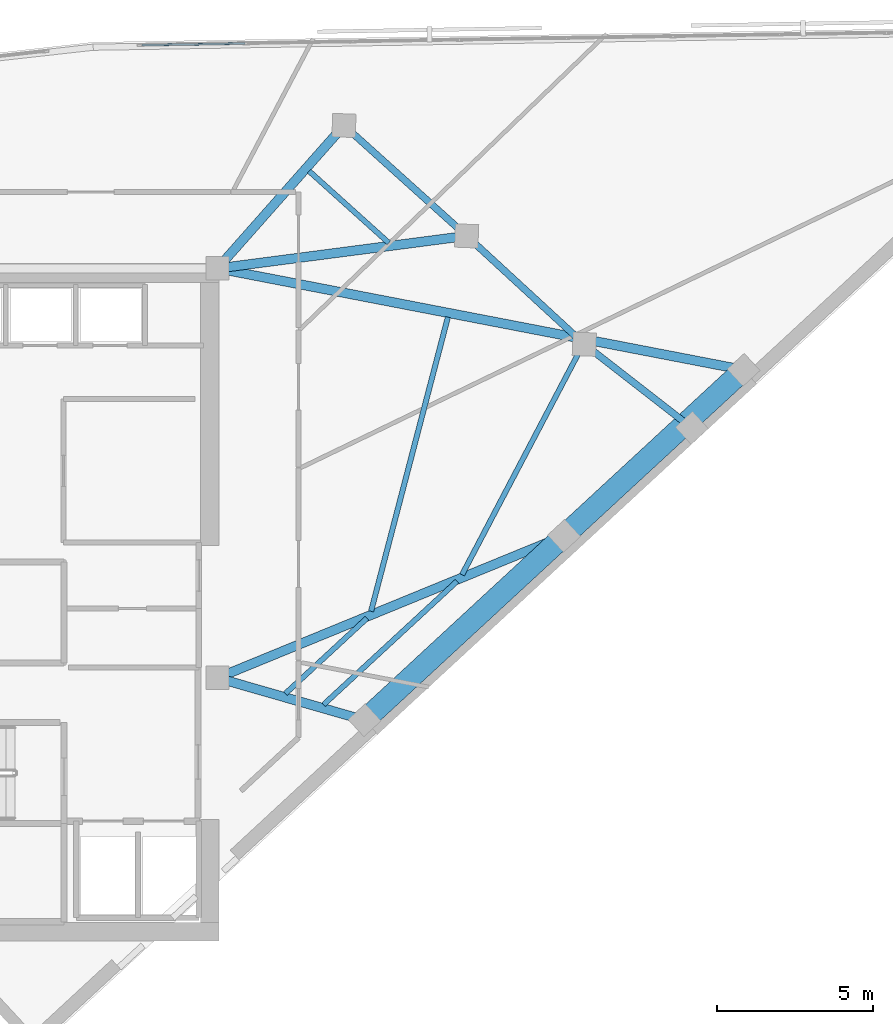
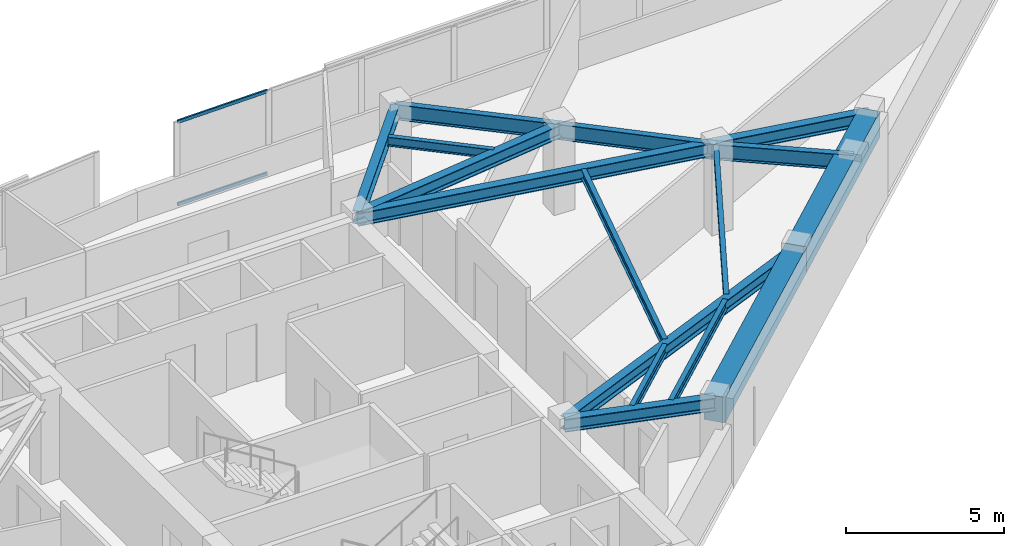
# One storey, part 4 of 11: 15 beams, 2 members, 1 element without a shape of its own.
"""IFC4 building model written with IfcOpenShell, lengths in metres."""

from ifc_helpers import new_model, si_unit, direction, frame, origin, origin_2d, place, context, subcontext, project, spatial, rectangle, hollow_rectangle, i_section, extrude, material, material_profile, profile_set, type_object, element, aggregate, save


model = new_model("IFC4")

# Units and contexts
model_context = context("Model", 3, precision=1e-05, world=origin(), true_north=direction((0.0, 1.0)))
body_context = subcontext(model_context, "Body", "Model", "MODEL_VIEW")
ifc_project = project(units=[si_unit("LENGTHUNIT", "METRE"), si_unit("AREAUNIT", "SQUARE_METRE"), si_unit("VOLUMEUNIT", "CUBIC_METRE"), si_unit("PLANEANGLEUNIT", "RADIAN"), si_unit("MASSUNIT", "GRAM", prefix="KILO")], contexts=[model_context])

# Site, building, storey
site_placement = place(None, origin())
site = spatial("IfcSite", under=ifc_project, at=site_placement, CompositionType="ELEMENT")
building_placement = place(site_placement, origin())
building = spatial("IfcBuilding", under=site, at=building_placement, Name="Narakoshi Arena Tower", CompositionType="ELEMENT")
storey_placement = place(building_placement, frame((0.0, 0.0, 285.3798828125)))
storey = spatial("IfcBuildingStorey", under=building, at=storey_placement, Name="L78", CompositionType="ELEMENT", Elevation=285.3798828125)

# Beams
ifc_material_1 = material(Name="Concrete C60/75", Category="concrete")
ifc_material_profile_1 = material_profile(ifc_material_1, rectangle(XDim=0.699951171875, YDim=1.0, at=origin_2d()), Name="RCB700x1000")
ifc_profile_set_1 = profile_set([ifc_material_profile_1], Name="Concrete C60/75")
beam_type_1 = type_object("IfcBeamType", Name="BM-CPL-1000", PredefinedType="BEAM", material=ifc_profile_set_1)
beam_1_placement = place(storey_placement, frame((90.2734375, 41.992919921875, 2.760009765625), z_axis=(0.734326819586, 0.678796082809, 0.0), x_axis=(-0.678796082809, 0.734326819586, 0.0)))
element("IfcBeam", 1, at=beam_1_placement, inside=storey, type_object=beam_type_1, Name="L78 Perimeter Edge Girder 01", PredefinedType="BEAM", context=body_context, shape_type="SweptSolid", body=[
    extrude(rectangle(XDim=0.699951171875, YDim=1.0, at=origin_2d()), origin(), (0.0, 0.0, 1.0), 8.72265625),
])
beam_2_placement = place(storey_placement, frame((96.6787109375, 47.913818359375, 2.760009765625), z_axis=(0.734333489286, 0.678788867405, 0.0), x_axis=(-0.678788867405, 0.734333489286, 0.0)))
element("IfcBeam", 2, at=beam_2_placement, inside=storey, type_object=beam_type_1, Name="L78 Perimeter Edge Girder 02", PredefinedType="BEAM", context=body_context, shape_type="SweptSolid", body=[
    extrude(rectangle(XDim=0.699951171875, YDim=1.0, at=origin_2d()), origin(), (0.0, 0.0, 1.0), 7.85009765625),
])
ifc_material_2 = material(Name="Structural steel S355J2", Category="steel")
ifc_material_profile_2 = material_profile(ifc_material_2, i_section(OverallWidth=0.219970703125, OverallDepth=0.60009765625, WebThickness=0.011962890625, FlangeThickness=0.01904296875, FilletRadius=0.02392578125, at=origin_2d()), Name="IPE600")
ifc_profile_set_2 = profile_set([ifc_material_profile_2], Name="Structural steel S355J2")
beam_type_2 = type_object("IfcBeamType", Name="BM-EDGE-600", PredefinedType="BEAM", material=ifc_profile_set_2)
beam_3_placement = place(storey_placement, frame((100.78173828125, 51.379638671875, 2.960205078125), z_axis=(-0.789307135535, 0.613998571491, 0.0), x_axis=(-0.613998571491, -0.789307135535, 0.0)))
element("IfcBeam", 3, at=beam_3_placement, inside=storey, type_object=beam_type_2, Name="L78 Perimeter Edge Girder 04", PredefinedType="BEAM", context=body_context, shape_type="SweptSolid", body=[
    extrude(i_section(OverallWidth=0.219970703125, OverallDepth=0.60009765625, WebThickness=0.011962890625, FlangeThickness=0.01904296875, FilletRadius=0.02392578125, at=origin_2d()), origin(), (0.0, 0.0, 1.0), 4.374267578125),
])
beam_4_placement = place(storey_placement, frame((97.3291015625, 54.0654296875, 2.960205078125), z_axis=(-0.735759504933, 0.677242903914, 0.0), x_axis=(-0.677242903914, -0.735759504933, 0.0)))
element("IfcBeam", 4, at=beam_4_placement, inside=storey, type_object=beam_type_2, Name="L78 Perimeter Edge Girder 05", PredefinedType="BEAM", context=body_context, shape_type="SweptSolid", body=[
    extrude(i_section(OverallWidth=0.219970703125, OverallDepth=0.60009765625, WebThickness=0.011962890625, FlangeThickness=0.01904296875, FilletRadius=0.02392578125, at=origin_2d()), origin(), (0.0, 0.0, 1.0), 5.135986328125),
])
beam_5_placement = place(storey_placement, frame((93.55029296875, 57.543701171875, 2.960205078125), z_axis=(-0.743147547665, 0.66912758305, 0.0), x_axis=(-0.66912758305, -0.743147547665, 0.0)))
element("IfcBeam", 5, at=beam_5_placement, inside=storey, type_object=beam_type_2, Name="L78 Perimeter Edge Girder 06", PredefinedType="BEAM", context=body_context, shape_type="SweptSolid", body=[
    extrude(i_section(OverallWidth=0.219970703125, OverallDepth=0.60009765625, WebThickness=0.011962890625, FlangeThickness=0.01904296875, FilletRadius=0.02392578125, at=origin_2d()), origin(), (0.0, 0.0, 1.0), 5.30029296875),
])
ifc_material_profile_3 = material_profile(ifc_material_2, i_section(OverallWidth=0.300048828125, OverallDepth=0.5, WebThickness=0.014404296875, FlangeThickness=0.028076171875, FilletRadius=0.027099609375, at=origin_2d()), Name="HE500B")
ifc_profile_set_3 = profile_set([ifc_material_profile_3], Name="Structural steel S355J2")
beam_type_3 = type_object("IfcBeamType", Name="BM-PRI-500", PredefinedType="BEAM", material=ifc_profile_set_3)
beam_6_placement = place(storey_placement, frame((85.550048828125, 43.35009765625, 3.010009765625), z_axis=(0.961112330887, -0.276157721993, 0.0), x_axis=(0.276157721993, 0.961112330887, 0.0)))
element("IfcBeam", 6, at=beam_6_placement, inside=storey, type_object=beam_type_3, Name="L78 Radial Primary Floor Girder 01", PredefinedType="BEAM", context=body_context, shape_type="SweptSolid", body=[
    extrude(i_section(OverallWidth=0.300048828125, OverallDepth=0.5, WebThickness=0.014404296875, FlangeThickness=0.028076171875, FilletRadius=0.027099609375, at=origin_2d()), origin(), (0.0, 0.0, 1.0), 4.91455078125),
])
beam_7_placement = place(storey_placement, frame((85.550048828125, 43.35009765625, 3.010009765625), z_axis=(0.925223618811, 0.379422265021, 0.0), x_axis=(-0.379422265021, 0.925223618811, 0.0)))
element("IfcBeam", 7, at=beam_7_placement, inside=storey, type_object=beam_type_3, Name="L78 Radial Primary Floor Girder 02", PredefinedType="BEAM", context=body_context, shape_type="SweptSolid", body=[
    extrude(i_section(OverallWidth=0.300048828125, OverallDepth=0.5, WebThickness=0.014404296875, FlangeThickness=0.028076171875, FilletRadius=0.027099609375, at=origin_2d()), origin(), (0.0, 0.0, 1.0), 12.028076171875),
])
beam_8_placement = place(storey_placement, frame((85.550048828125, 56.5, 3.010009765625), z_axis=(0.98191087483, -0.189343692505, 0.0), x_axis=(0.189343692505, 0.98191087483, 0.0)))
element("IfcBeam", 8, at=beam_8_placement, inside=storey, type_object=beam_type_3, Name="L78 Radial Primary Floor Girder 03", PredefinedType="BEAM", context=body_context, shape_type="SweptSolid", body=[
    extrude(i_section(OverallWidth=0.300048828125, OverallDepth=0.5, WebThickness=0.014404296875, FlangeThickness=0.028076171875, FilletRadius=0.027099609375, at=origin_2d()), origin(), (0.0, 0.0, 1.0), 17.20458984375),
])
beam_9_placement = place(storey_placement, frame((85.550048828125, 56.5, 3.010009765625), z_axis=(0.991597373641, 0.129362469783, 0.0), x_axis=(-0.129362469783, 0.991597373641, 0.0)))
element("IfcBeam", 9, at=beam_9_placement, inside=storey, type_object=beam_type_3, Name="L78 Radial Primary Floor Girder 06", PredefinedType="BEAM", context=body_context, shape_type="SweptSolid", body=[
    extrude(i_section(OverallWidth=0.300048828125, OverallDepth=0.5, WebThickness=0.014404296875, FlangeThickness=0.028076171875, FilletRadius=0.027099609375, at=origin_2d()), origin(), (0.0, 0.0, 1.0), 8.068115234375),
])
beam_10_placement = place(storey_placement, frame((85.550048828125, 56.5, 3.010009765625), z_axis=(0.662628886894, 0.748947900894, 0.0), x_axis=(-0.748947900894, 0.662628886894, 0.0)))
element("IfcBeam", 10, at=beam_10_placement, inside=storey, type_object=beam_type_3, Name="L78 Radial Primary Floor Girder 07", PredefinedType="BEAM", context=body_context, shape_type="SweptSolid", body=[
    extrude(i_section(OverallWidth=0.300048828125, OverallDepth=0.5, WebThickness=0.014404296875, FlangeThickness=0.028076171875, FilletRadius=0.027099609375, at=origin_2d()), origin(), (0.0, 0.0, 1.0), 6.129150390625),
])
ifc_material_profile_4 = material_profile(ifc_material_2, i_section(OverallWidth=0.169921875, OverallDepth=0.360107421875, WebThickness=0.008056640625, FlangeThickness=0.0126953125, FilletRadius=0.01806640625, at=origin_2d()), Name="IPE360")
ifc_profile_set_4 = profile_set([ifc_material_profile_4], Name="Structural steel S355J2")
beam_type_4 = type_object("IfcBeamType", Name="BM-SEC-360", PredefinedType="JOIST", material=ifc_profile_set_4)
beam_11_placement = place(storey_placement, frame((87.7275390625, 42.844482421875, 3.080078125), z_axis=(0.734310037917, 0.678814236897, 0.0), x_axis=(-0.678814236897, 0.734310037917, 0.0)))
element("IfcBeam", 11, at=beam_11_placement, inside=storey, type_object=beam_type_4, Name="L78 Composite Secondary Floor Joist 01", PredefinedType="JOIST", context=body_context, shape_type="SweptSolid", body=[
    extrude(i_section(OverallWidth=0.169921875, OverallDepth=0.360107421875, WebThickness=0.008056640625, FlangeThickness=0.0126953125, FilletRadius=0.01806640625, at=origin_2d()), origin(), (0.0, 0.0, 1.0), 3.56787109375),
])
beam_12_placement = place(storey_placement, frame((88.95556640625, 42.49169921875, 3.080078125), z_axis=(0.734339740284, 0.678782104832, 0.0), x_axis=(-0.678782104832, 0.734339740284, 0.0)))
element("IfcBeam", 12, at=beam_12_placement, inside=storey, type_object=beam_type_4, Name="L78 Composite Secondary Floor Joist 02", PredefinedType="JOIST", context=body_context, shape_type="SweptSolid", body=[
    extrude(i_section(OverallWidth=0.169921875, OverallDepth=0.360107421875, WebThickness=0.008056640625, FlangeThickness=0.0126953125, FilletRadius=0.01806640625, at=origin_2d()), origin(), (0.0, 0.0, 1.0), 5.835693359375),
])
beam_13_placement = place(storey_placement, frame((90.480712890625, 45.48876953125, 3.080078125), z_axis=(0.252782191018, 0.967523211042, 0.0), x_axis=(-0.967523211042, 0.252782191018, 0.0)))
element("IfcBeam", 13, at=beam_13_placement, inside=storey, type_object=beam_type_4, Name="L78 Composite Secondary Floor Joist 03", PredefinedType="JOIST", context=body_context, shape_type="SweptSolid", body=[
    extrude(i_section(OverallWidth=0.169921875, OverallDepth=0.360107421875, WebThickness=0.008056640625, FlangeThickness=0.0126953125, FilletRadius=0.01806640625, at=origin_2d()), origin(), (0.0, 0.0, 1.0), 9.764404296875),
])
beam_14_placement = place(storey_placement, frame((93.40283203125, 46.664306640625, 3.080078125), z_axis=(0.465370309963, 0.885116079734, 0.0), x_axis=(-0.885116079734, 0.465370309963, 0.0)))
element("IfcBeam", 14, at=beam_14_placement, inside=storey, type_object=beam_type_4, Name="L78 Composite Secondary Floor Joist 04", PredefinedType="JOIST", context=body_context, shape_type="SweptSolid", body=[
    extrude(i_section(OverallWidth=0.169921875, OverallDepth=0.360107421875, WebThickness=0.008056640625, FlangeThickness=0.0126953125, FilletRadius=0.01806640625, at=origin_2d()), origin(), (0.0, 0.0, 1.0), 8.401123046875),
])
beam_15_placement = place(storey_placement, frame((91.050048828125, 57.32080078125, 3.080078125), z_axis=(-0.743145924769, 0.66912938547, 0.0), x_axis=(-0.66912938547, -0.743145924769, 0.0)))
element("IfcBeam", 15, at=beam_15_placement, inside=storey, type_object=beam_type_4, Name="L78 Composite Secondary Floor Joist 05", PredefinedType="JOIST", context=body_context, shape_type="SweptSolid", body=[
    extrude(i_section(OverallWidth=0.169921875, OverallDepth=0.360107421875, WebThickness=0.008056640625, FlangeThickness=0.0126953125, FilletRadius=0.01806640625, at=origin_2d()), origin(), (0.0, 0.0, 1.0), 3.440185546875),
])

# Curtain wall, members
ifc_material_3 = material(Name="Anodised bronze aluminium 6063-T6", Category="aluminium")
curtain_wall_type = type_object("IfcCurtainWallType", Name="CW-HYP-HIGH", PredefinedType="NOTDEFINED", material=ifc_material_3)
curtain_wall_placement = place(storey_placement, origin())
curtain_wall = element("IfcCurtainWall", 16, at=curtain_wall_placement, inside=storey, type_object=curtain_wall_type, Name="L78 Folded Hypotenuse Curtain Wall 1-1", PredefinedType="NOTDEFINED")
ifc_material_profile_5 = material_profile(ifc_material_3, hollow_rectangle(XDim=0.06494140625, YDim=0.1298828125, WallThickness=0.00390625, OuterFilletRadius=0.0048828125, at=origin_2d()), Name="TRN130x65x4")
ifc_profile_set_5 = profile_set([ifc_material_profile_5], Name="Anodised bronze aluminium 6063-T6")
member_type = type_object("IfcMemberType", Name="MEM-TRN-130", PredefinedType="USERDEFINED", material=ifc_profile_set_5)
member_1_placement = place(storey_placement, frame((86.427978515625, 63.72314453125, 0.03271484375), z_axis=(-0.999864541825, -0.016458979318, 0.0), x_axis=(0.016458979318, -0.999864541825, 0.0)))
member_1 = element("IfcMember", 17, at=member_1_placement, type_object=member_type, Name="CW-03 transom 8.1", ObjectType="TRANSOM", PredefinedType="USERDEFINED", context=body_context, shape_type="SweptSolid", body=[
    extrude(hollow_rectangle(XDim=0.06494140625, YDim=0.1298828125, WallThickness=0.00390625, OuterFilletRadius=0.0048828125, at=origin_2d()), origin(), (0.0, 0.0, 1.0), 3.307861328125),
])
member_2_placement = place(storey_placement, frame((86.427978515625, 63.72314453125, 3.2275390625), z_axis=(-0.999864541825, -0.016458979318, 0.0), x_axis=(0.016458979318, -0.999864541825, 0.0)))
member_2 = element("IfcMember", 18, at=member_2_placement, type_object=member_type, Name="CW-03 transom 8.2", ObjectType="TRANSOM", PredefinedType="USERDEFINED", context=body_context, shape_type="SweptSolid", body=[
    extrude(hollow_rectangle(XDim=0.06494140625, YDim=0.1298828125, WallThickness=0.00390625, OuterFilletRadius=0.0048828125, at=origin_2d()), origin(), (0.0, 0.0, 1.0), 3.307861328125),
])
aggregate(curtain_wall, [member_1, member_2])

save(model, "model.ifc")
